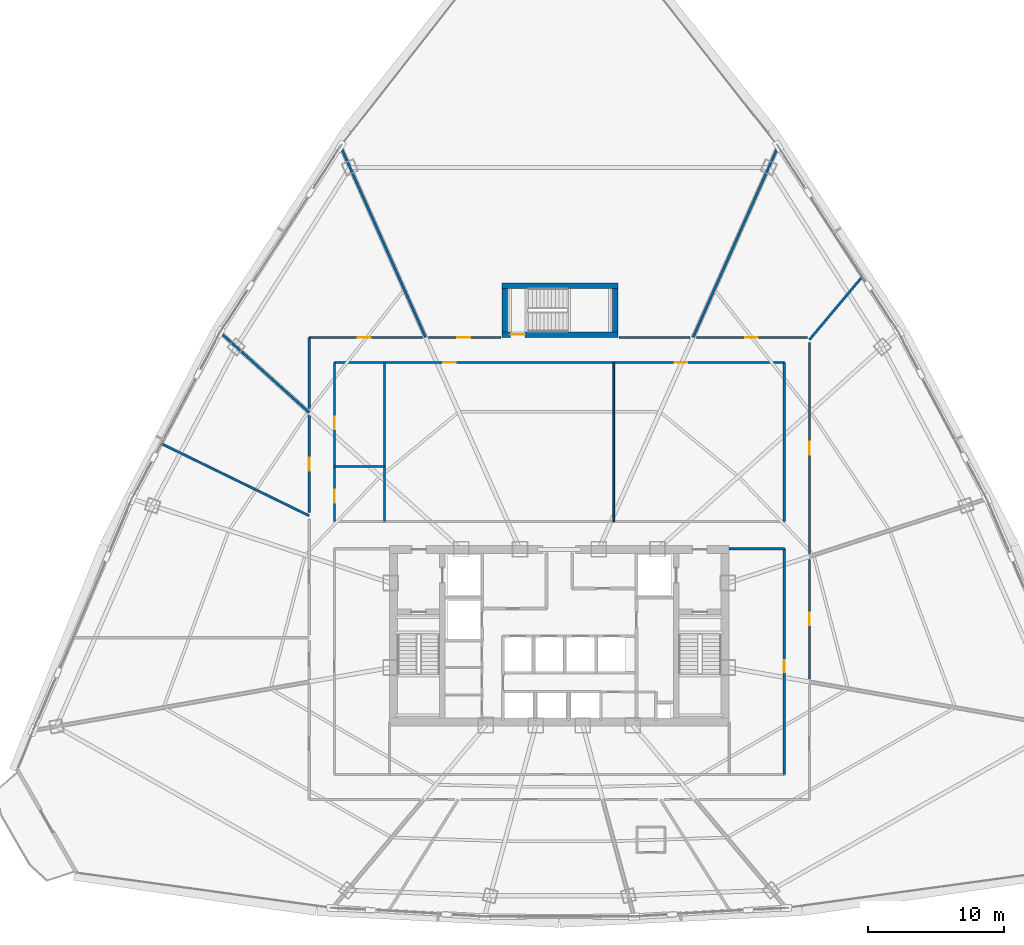
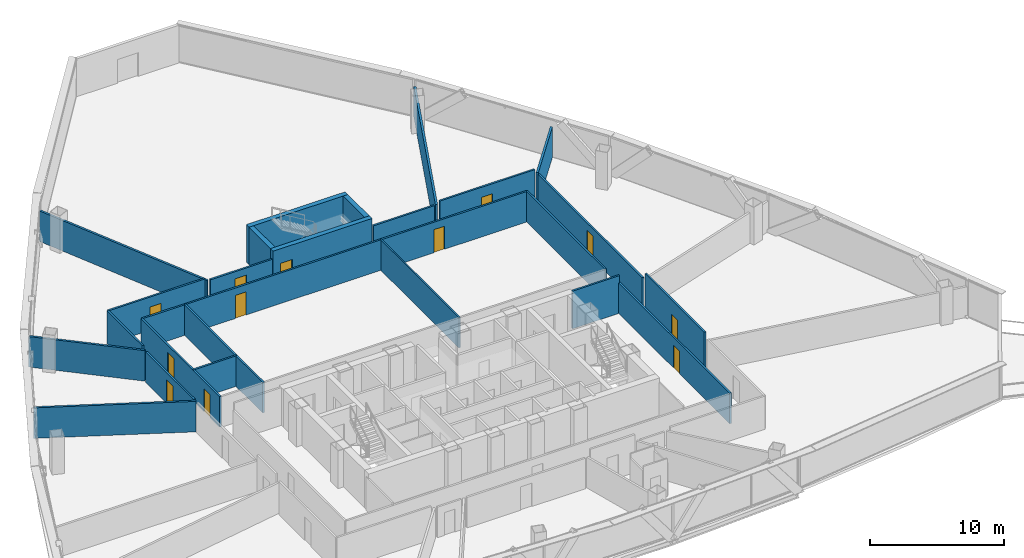
# One storey, part 34 of 39: 25 walls, 12 doors, 12 openings.
"""IFC4 building model written with IfcOpenShell, lengths in metres."""

import ifcopenshell
import ifcopenshell.guid

model = None  # the IFC model being written
_history = None  # IfcOwnerHistory: only IFC2X3 demands one
_inside = {}  # id of a spatial element -> (the spatial element, [elements in it])
_under = {}  # id of a project, library or spatial element -> (it, [spatial elements below it])
_declared = {}  # id of a project -> (the project, [libraries it declares])
_typed = {}  # id of a type object -> (the type object, [elements of that type])
_made_of = {}  # id of a material, layer set ... -> (it, [elements and type objects made of it])


def new_model(schema):
    """Start an empty IFC model of exactly this schema.

    Asked for "IFC4X3", IfcOpenShell would pick the latest addendum, in which some entities
    have other attributes; the version numbers below select the first issue.
    IFC2X3 requires an IfcOwnerHistory on every rooted entity: one is made here for all.
    """
    global model, _history
    if schema == "IFC4X3":
        model = ifcopenshell.file(schema_version=(4, 3, 0, 0))
    else:
        model = ifcopenshell.file(schema=schema)
    _inside.clear()
    _under.clear()
    _declared.clear()
    _typed.clear()
    _made_of.clear()
    _history = None
    if model.schema == "IFC2X3":
        org = make("IfcOrganization", Name="unknown")
        user = make(
            "IfcPersonAndOrganization",
            ThePerson=make("IfcPerson", FamilyName="unknown"),
            TheOrganization=org,
        )
        app = make(
            "IfcApplication",
            ApplicationDeveloper=org,
            Version="unknown",
            ApplicationFullName="unknown",
            ApplicationIdentifier="unknown",
        )
        _history = make(
            "IfcOwnerHistory",
            OwningUser=user,
            OwningApplication=app,
            ChangeAction="ADDED",
            CreationDate=0,
        )
    return model


def make(cls, **values):
    """One entity of the class cls with the attributes given. An attribute that is None is left unset."""
    return model.create_entity(
        cls, **{name: value for name, value in values.items() if value is not None}
    )


def rooted(cls, **values):
    """An entity with a GlobalId (a new one), such as an element, a storey or a relation."""
    return make(cls, GlobalId=ifcopenshell.guid.new(), OwnerHistory=_history, **values)


def si_unit(unit_type, name, prefix=None):
    """IfcSIUnit, for example si_unit("LENGTHUNIT", "METRE", prefix="MILLI")."""
    return make("IfcSIUnit", UnitType=unit_type, Prefix=prefix, Name=name)


def assignment(units):
    """IfcUnitAssignment: the units of a project."""
    return None if units is None else make("IfcUnitAssignment", Units=units)


def point(xyz):
    """IfcCartesianPoint."""
    return None if xyz is None else make("IfcCartesianPoint", Coordinates=xyz)


def direction(xyz):
    """IfcDirection."""
    return None if xyz is None else make("IfcDirection", DirectionRatios=xyz)


def frame(location, z_axis=None, x_axis=None):
    """IfcAxis2Placement3D, a coordinate frame: its origin and axes. An axis left out is left unset."""
    return make(
        "IfcAxis2Placement3D",
        Location=point(location),
        Axis=direction(z_axis),
        RefDirection=direction(x_axis),
    )


def frame_2d(location, x_axis=None):
    """IfcAxis2Placement2D, a coordinate frame in the plane: its origin and x axis."""
    return make(
        "IfcAxis2Placement2D", Location=point(location), RefDirection=direction(x_axis)
    )


def origin():
    """The frame at (0, 0, 0) with its axes left unset."""
    return frame((0.0, 0.0, 0.0))


def origin_with_axes():
    """The frame at (0, 0, 0) with the z axis (0, 0, 1) and the x axis (1, 0, 0) written out."""
    return frame((0.0, 0.0, 0.0), z_axis=(0.0, 0.0, 1.0), x_axis=(1.0, 0.0, 0.0))


def place(relative_to, where):
    """IfcLocalPlacement: puts the frame where relative to a parent placement (None: the world)."""
    return make(
        "IfcLocalPlacement", PlacementRelTo=relative_to, RelativePlacement=where
    )


def context(
    kind, dimensions, precision=None, world=None, true_north=None, identifier=None
):
    """IfcGeometricRepresentationContext, for example the 3D "Model" context."""
    return make(
        "IfcGeometricRepresentationContext",
        ContextIdentifier=identifier,
        ContextType=kind,
        CoordinateSpaceDimension=dimensions,
        Precision=precision,
        WorldCoordinateSystem=world,
        TrueNorth=true_north,
    )


def subcontext(parent, identifier, kind, view, scale=None):
    """IfcGeometricRepresentationSubContext, for example "Body" below "Model"."""
    return make(
        "IfcGeometricRepresentationSubContext",
        ContextIdentifier=identifier,
        ContextType=kind,
        ParentContext=parent,
        TargetScale=scale,
        TargetView=view,
    )


def project(units=None, contexts=None):
    """IfcProject with its units and contexts."""
    return rooted(
        "IfcProject",
        Name="project",
        RepresentationContexts=contexts,
        UnitsInContext=assignment(units),
    )


def spatial(cls, under=None, at=None, **own):
    """A site, building, storey or space (cls), placed at a placement, below another one or the project."""
    s = rooted(cls, ObjectPlacement=at, **own)
    if under is not None:
        _under.setdefault(under.id(), (under, []))[1].append(s)
    return s


def profile(cls, at=None, kind="AREA", **sizes):
    """A parametric profile (cls). Its sizes go by their IFC names, for example OverallWidth=200.0."""
    return make(cls, ProfileType=kind, Position=at, **sizes)


def rectangle(**sizes):
    """IfcRectangleProfileDef."""
    return profile("IfcRectangleProfileDef", **sizes)


def extrude(swept, where, along, depth):
    """IfcExtrudedAreaSolid: the profile swept, set in the frame where, extruded along a direction by depth."""
    return make(
        "IfcExtrudedAreaSolid",
        SweptArea=swept,
        Position=where,
        ExtrudedDirection=direction(along),
        Depth=depth,
    )


def shape(context_of_items, identifier, shape_type, items):
    """IfcShapeRepresentation: the items that make up one representation, for example the "Body"."""
    return make(
        "IfcShapeRepresentation",
        ContextOfItems=context_of_items,
        RepresentationIdentifier=identifier,
        RepresentationType=shape_type,
        Items=items,
    )


def source(mapping_origin, context_of_items, identifier, shape_type, items):
    """IfcRepresentationMap: a shape defined once, which mapped items show again and again."""
    return make(
        "IfcRepresentationMap",
        MappingOrigin=mapping_origin,
        MappedRepresentation=shape(context_of_items, identifier, shape_type, items),
    )


def transform(
    local_origin,
    x_axis=None,
    y_axis=None,
    z_axis=None,
    scale=None,
    scale2=None,
    scale3=None,
    uniform=True,
):
    """IfcCartesianTransformationOperator3D, or its non-uniform kind. x_axis, y_axis, z_axis: its Axis1, 2, 3."""
    if uniform:
        return make(
            "IfcCartesianTransformationOperator3D",
            Axis1=direction(x_axis),
            Axis2=direction(y_axis),
            LocalOrigin=point(local_origin),
            Scale=scale,
            Axis3=direction(z_axis),
        )
    return make(
        "IfcCartesianTransformationOperator3DnonUniform",
        Axis1=direction(x_axis),
        Axis2=direction(y_axis),
        LocalOrigin=point(local_origin),
        Scale=scale,
        Axis3=direction(z_axis),
        Scale2=scale2,
        Scale3=scale3,
    )


def mapped(mapping_source, mapping_target):
    """IfcMappedItem: shows the shape of a source again, moved by a transform."""
    return make(
        "IfcMappedItem", MappingSource=mapping_source, MappingTarget=mapping_target
    )


def material(Name=None, Category=None):
    """IfcMaterial."""
    return make("IfcMaterial", Name=Name, Category=Category)


def layer(
    of_material, thickness, ventilated=None, Name=None, Category=None, Priority=None
):
    """IfcMaterialLayer: one layer of a wall or slab, of a material (None: an air gap)."""
    return make(
        "IfcMaterialLayer",
        Material=of_material,
        LayerThickness=thickness,
        IsVentilated=ventilated,
        Name=Name,
        Category=Category,
        Priority=Priority,
    )


def layer_set(layers, Name=None):
    """IfcMaterialLayerSet."""
    return make("IfcMaterialLayerSet", MaterialLayers=layers, LayerSetName=Name)


def made_of(thing, what):
    """Note that an element or type object is made of a material, layer set ...; save() writes the relation."""
    if what is not None:
        _made_of.setdefault(what.id(), (what, []))[1].append(thing)
    return thing


def type_object(cls, material=None, **own):
    """A type object (cls), such as IfcWallType, which elements share."""
    return made_of(rooted(cls, **own), material)


def element(
    cls,
    number,
    at=None,
    inside=None,
    cuts=None,
    type_object=None,
    material=None,
    context=None,
    identifier="Body",
    shape_type=None,
    held_by="IfcProductDefinitionShape",
    body=None,
    shapes=None,
    **own,
):
    """One element of the class cls, such as IfcWall. Its Tag is "e" and its number.

    at: its placement. inside: the storey or other place that contains it. cuts: it is an
    opening in that element (IfcRelVoidsElement). A single representation is given by context,
    identifier, shape_type and body (its items); several are given by shapes. held_by: the class
    of the entity that holds the representations. save() writes the other relations.
    """
    e = rooted(cls, Tag="e%d" % number, ObjectPlacement=at, **own)
    if body is not None:
        shapes = [shape(context, identifier, shape_type, body)]
    if shapes is not None:
        e.Representation = make(held_by, Representations=shapes)
    if inside is not None:
        _inside.setdefault(inside.id(), (inside, []))[1].append(e)
    if cuts is not None:
        rooted(
            "IfcRelVoidsElement", RelatingBuildingElement=cuts, RelatedOpeningElement=e
        )
    if type_object is not None:
        _typed.setdefault(type_object.id(), (type_object, []))[1].append(e)
    return made_of(e, material)


def fill(opening, filler):
    """IfcRelFillsElement: the door or window that sits in an opening."""
    return rooted(
        "IfcRelFillsElement",
        RelatingOpeningElement=opening,
        RelatedBuildingElement=filler,
    )


def aggregate(whole, parts):
    """IfcRelAggregates: a whole, such as a stair, and the parts it consists of."""
    return rooted("IfcRelAggregates", RelatingObject=whole, RelatedObjects=parts)


def save(model, path):
    """Write the relations noted so far, then the file.

    IfcRelAggregates (storeys below a building ...), IfcRelContainedInSpatialStructure (elements
    in a storey), IfcRelDefinesByType, IfcRelAssociatesMaterial and IfcRelDeclares: one each for
    every whole, place, type object, material and project.
    """
    for whole, parts in _under.values():
        aggregate(whole, parts)
    for where, things in _inside.values():
        rooted(
            "IfcRelContainedInSpatialStructure",
            RelatedElements=things,
            RelatingStructure=where,
        )
    for kind, things in _typed.values():
        rooted("IfcRelDefinesByType", RelatedObjects=things, RelatingType=kind)
    for what, things in _made_of.values():
        rooted("IfcRelAssociatesMaterial", RelatedObjects=things, RelatingMaterial=what)
    for by, libraries in _declared.values():
        rooted("IfcRelDeclares", RelatingContext=by, RelatedDefinitions=libraries)
    model.write(path)


model = new_model("IFC4")

# Units and contexts
model_context = context("Model", 3, precision=1e-05, world=origin(), true_north=direction((0.0, 1.0)))
body_context = subcontext(model_context, "Body", "Model", "MODEL_VIEW")
ifc_project = project(units=[si_unit("LENGTHUNIT", "METRE"), si_unit("AREAUNIT", "SQUARE_METRE"), si_unit("VOLUMEUNIT", "CUBIC_METRE"), si_unit("PLANEANGLEUNIT", "RADIAN"), si_unit("MASSUNIT", "GRAM", prefix="KILO"), si_unit("THERMODYNAMICTEMPERATUREUNIT", "KELVIN"), si_unit("POWERUNIT", "WATT")], contexts=[model_context])

# Site, building, storey
site_placement = place(None, origin())
site = spatial("IfcSite", under=ifc_project, at=site_placement, CompositionType="ELEMENT")
building_placement = place(site_placement, origin())
building = spatial("IfcBuilding", under=site, at=building_placement, Name="Yunzhuo Pagoda Commons", CompositionType="ELEMENT")
storey_placement = place(building_placement, frame((0.0, 0.0, 144.550048828125)))
storey = spatial("IfcBuildingStorey", under=building, at=storey_placement, Name="L36", CompositionType="ELEMENT", Elevation=144.550048828125)

# Wall, openings, doors
ifc_material_1 = material(Name="Gypsum plasterboard on acoustic stud")
ifc_layer_1 = layer(ifc_material_1, 0.155029296875)
ifc_layer_set_1 = layer_set([ifc_layer_1], Name="Gypsum plasterboard on acoustic stud")
wall_type_1 = type_object("IfcWallType", Name="W-COR2 Mid-Zone Rated Corridor Wall 155", PredefinedType="PARTITIONING", material=ifc_layer_set_1)
wall_1_placement = place(storey_placement, frame((31.449951171875, 53.949951171875, 0.0), z_axis=(0.0, 0.0, 1.0), x_axis=(1.0, 0.0, 0.0)))
wall_1 = element("IfcWall", 1, at=wall_1_placement, inside=storey, type_object=wall_type_1, Name="L36 interior wall IW-L36-MCNN", PredefinedType="PARTITIONING", context=body_context, shape_type="SweptSolid", body=[
    extrude(rectangle(XDim=33.10009765625, YDim=0.155029296875, at=frame_2d((16.550048828125, 0.0))), origin(), (0.0, 0.0, 1.0), 2.77001953125),
])
opening_1_placement = place(wall_1_placement, frame((8.0, 0.0, 0.0)))
opening_1 = element("IfcOpeningElement", 2, at=opening_1_placement, cuts=wall_1, Name="Opening D-04", PredefinedType="OPENING", context=body_context, shape_type="SweptSolid", body=[
    extrude(rectangle(XDim=0.919921875, YDim=2.10009765625, at=frame_2d((0.4599609375, 1.050048828125))), frame((0.0, 0.08740234375, 0.0), z_axis=(0.0, -1.0, 0.0), x_axis=(1.0, 0.0, 0.0)), (0.0, 0.0, 1.0), 0.175048828125),
])
opening_2_placement = place(wall_1_placement, frame((25.050048828125, 0.0, 0.0)))
opening_2 = element("IfcOpeningElement", 3, at=opening_2_placement, cuts=wall_1, Name="Opening D-04", PredefinedType="OPENING", context=body_context, shape_type="SweptSolid", body=[
    extrude(rectangle(XDim=0.919921875, YDim=2.10009765625, at=frame_2d((0.4599609375, 1.050048828125))), frame((0.0, 0.08740234375, 0.0), z_axis=(0.0, -1.0, 0.0), x_axis=(1.0, 0.0, 0.0)), (0.0, 0.0, 1.0), 0.175048828125),
])
ifc_material_2 = material(Name="Powder-coated aluminium and timber acoustic leaf", Category="wood")
door_type_1 = type_object("IfcDoorType", Name="D-04 Bedroom & Study Interior Door 920x2100", OperationType="NOTDEFINED", PredefinedType="DOOR", material=ifc_material_2)
shared_shape_1 = source(origin(), body_context, "Body", "SweptSolid", [
    extrude(rectangle(XDim=0.919921875, YDim=2.10009765625, at=frame_2d((0.4599609375, 1.050048828125))), frame((0.0, 0.02490234375, 0.0), z_axis=(0.0, -1.0, 0.0), x_axis=(1.0, 0.0, 0.0)), (0.0, 0.0, 1.0), 0.050048828125),
])
door_1_placement = place(opening_1_placement, origin_with_axes())
door_1 = element("IfcDoor", 4, at=door_1_placement, inside=storey, type_object=door_type_1, Name="L36 reading commons door", OperationType="SINGLE_SWING_LEFT", OverallHeight=2.10009765625, OverallWidth=0.919921875, PredefinedType="DOOR", context=body_context, shape_type="MappedRepresentation", body=[
    mapped(shared_shape_1, transform((0.0, 0.0, 0.0), scale=1.0)),
])
fill(opening_1, door_1)
door_2_placement = place(opening_2_placement, origin_with_axes())
door_2 = element("IfcDoor", 5, at=door_2_placement, inside=storey, type_object=door_type_1, Name="L36 seminar commons door", OperationType="SINGLE_SWING_RIGHT", OverallHeight=2.10009765625, OverallWidth=0.919921875, PredefinedType="DOOR", context=body_context, shape_type="MappedRepresentation", body=[
    mapped(shared_shape_1, transform((0.0, 0.0, 0.0), scale=1.0)),
])
fill(opening_2, door_2)

wall_2_placement = place(storey_placement, frame((31.449951171875, 42.25, 0.0), z_axis=(0.0, 0.0, 1.0), x_axis=(0.0, 1.0, 0.0)))
wall_2 = element("IfcWall", 6, at=wall_2_placement, inside=storey, type_object=wall_type_1, Name="L36 interior wall IW-L36-MCNW", PredefinedType="PARTITIONING", context=body_context, shape_type="SweptSolid", body=[
    extrude(rectangle(XDim=11.699951171875, YDim=0.155029296875, at=frame_2d((5.85009765625, 0.0))), origin(), (0.0, 0.0, 1.0), 2.77001953125),
])
opening_3_placement = place(wall_2_placement, frame((1.39990234375, 0.0, 0.0)))
opening_3 = element("IfcOpeningElement", 7, at=opening_3_placement, cuts=wall_2, Name="Opening D-11", PredefinedType="OPENING", context=body_context, shape_type="SweptSolid", body=[
    extrude(rectangle(XDim=0.93994140625, YDim=2.10009765625, at=frame_2d((0.469970703125, 1.050048828125))), frame((0.0, 0.08740234375, 0.0), z_axis=(0.0, -1.0, 0.0), x_axis=(1.0, 0.0, 0.0)), (0.0, 0.0, 1.0), 0.175048828125),
])
opening_4_placement = place(wall_2_placement, frame((6.800048828125, 0.0, 0.0)))
opening_4 = element("IfcOpeningElement", 8, at=opening_4_placement, cuts=wall_2, Name="Opening D-04", PredefinedType="OPENING", context=body_context, shape_type="SweptSolid", body=[
    extrude(rectangle(XDim=0.919921875, YDim=2.10009765625, at=frame_2d((0.4599609375, 1.050048828125))), frame((0.0, 0.08740234375, 0.0), z_axis=(0.0, -1.0, 0.0), x_axis=(1.0, 0.0, 0.0)), (0.0, 0.0, 1.0), 0.175048828125),
])
ifc_material_3 = material(Name="Galvanized fire-resisting metal leaf")
door_type_2 = type_object("IfcDoorType", Name="D-11 Accessible Washroom Fire Door 940x2100", OperationType="NOTDEFINED", PredefinedType="DOOR", material=ifc_material_3)
shared_shape_2 = source(origin(), body_context, "Body", "SweptSolid", [
    extrude(rectangle(XDim=0.93994140625, YDim=2.10009765625, at=frame_2d((0.469970703125, 1.050048828125))), frame((0.0, 0.02490234375, 0.0), z_axis=(0.0, -1.0, 0.0), x_axis=(1.0, 0.0, 0.0)), (0.0, 0.0, 1.0), 0.050048828125),
])
door_3_placement = place(opening_3_placement, origin_with_axes())
door_3 = element("IfcDoor", 9, at=door_3_placement, inside=storey, type_object=door_type_2, Name="L36 accessible WC door", OperationType="SINGLE_SWING_LEFT", OverallHeight=2.10009765625, OverallWidth=0.93994140625, PredefinedType="DOOR", context=body_context, shape_type="MappedRepresentation", body=[
    mapped(shared_shape_2, transform((0.0, 0.0, 0.0), scale=1.0)),
])
fill(opening_3, door_3)
door_4_placement = place(opening_4_placement, origin_with_axes())
door_4 = element("IfcDoor", 10, at=door_4_placement, inside=storey, type_object=door_type_1, Name="L36 laundry door", OperationType="SINGLE_SWING_RIGHT", OverallHeight=2.10009765625, OverallWidth=0.919921875, PredefinedType="DOOR", context=body_context, shape_type="MappedRepresentation", body=[
    mapped(shared_shape_1, transform((0.0, 0.0, 0.0), scale=1.0)),
])
fill(opening_4, door_4)

# Walls
for number, where, z_axis, x_axis, name in (
    (11, (64.550048828125, 42.25, 0.0), (0.0, 0.0, 1.0), (0.0, 1.0, 0.0), "L36 interior wall IW-L36-MCNE"),
    (12, (35.14990234375, 42.25, 0.0), (0.0, 0.0, 1.0), (0.0, 1.0, 0.0), "L36 interior wall IW-L36-MCWCE"),
):
    element("IfcWall", number, at=place(storey_placement, frame(where, z_axis=z_axis, x_axis=x_axis)), inside=storey, type_object=wall_type_1, Name=name, PredefinedType="PARTITIONING", context=body_context, shape_type="SweptSolid", body=[
        extrude(rectangle(XDim=11.699951171875, YDim=0.155029296875, at=frame_2d((5.85009765625, 0.0))), origin(), (0.0, 0.0, 1.0), 2.77001953125),
    ])
wall_3_placement = place(storey_placement, frame((31.449951171875, 46.300048828125, 0.0), z_axis=(0.0, 0.0, 1.0), x_axis=(1.0, 0.0, 0.0)))
element("IfcWall", 13, at=wall_3_placement, inside=storey, type_object=wall_type_1, Name="L36 interior wall IW-L36-MCWCN", PredefinedType="PARTITIONING", context=body_context, shape_type="SweptSolid", body=[
    extrude(rectangle(XDim=3.699951171875, YDim=0.155029296875, at=frame_2d((1.85009765625, 0.0))), origin(), (0.0, 0.0, 1.0), 2.77001953125),
])

# Wall, opening, door
wall_4_placement = place(storey_placement, frame((64.550048828125, 23.64990234375, 0.0), z_axis=(0.0, 0.0, 1.0), x_axis=(0.0, 1.0, 0.0)))
wall_4 = element("IfcWall", 14, at=wall_4_placement, inside=storey, type_object=wall_type_1, Name="L36 interior wall IW-L36-SFLE", PredefinedType="PARTITIONING", context=body_context, shape_type="SweptSolid", body=[
    extrude(rectangle(XDim=16.60009765625, YDim=0.155029296875, at=frame_2d((8.300048828125, 0.0))), origin(), (0.0, 0.0, 1.0), 2.77001953125),
])
opening_5_placement = place(wall_4_placement, frame((7.5, 0.0, 0.0)))
opening_5 = element("IfcOpeningElement", 15, at=opening_5_placement, cuts=wall_4, Name="Opening D-12", PredefinedType="OPENING", context=body_context, shape_type="SweptSolid", body=[
    extrude(rectangle(XDim=0.89990234375, YDim=2.080078125, at=frame_2d((0.449951171875, 1.0400390625))), frame((0.0, 0.08740234375, 0.0), z_axis=(0.0, -1.0, 0.0), x_axis=(1.0, 0.0, 0.0)), (0.0, 0.0, 1.0), 0.175048828125),
])
door_type_3 = type_object("IfcDoorType", Name="D-12 Quiet Study Interior Door 900x2080", OperationType="NOTDEFINED", PredefinedType="DOOR", material=ifc_material_2)
shared_shape_3 = source(origin(), body_context, "Body", "SweptSolid", [
    extrude(rectangle(XDim=0.89990234375, YDim=2.080078125, at=frame_2d((0.449951171875, 1.0400390625))), frame((0.0, 0.02490234375, 0.0), z_axis=(0.0, -1.0, 0.0), x_axis=(1.0, 0.0, 0.0)), (0.0, 0.0, 1.0), 0.050048828125),
])
door_5_placement = place(opening_5_placement, frame((0.89990234375, 0.0, 0.0), z_axis=(0.0, 0.0, 1.0), x_axis=(-1.0, 0.0, 0.0)))
door_5 = element("IfcDoor", 16, at=door_5_placement, inside=storey, type_object=door_type_3, Name="L36 east study workroom door", OperationType="SINGLE_SWING_RIGHT", OverallHeight=2.080078125, OverallWidth=0.89990234375, PredefinedType="DOOR", context=body_context, shape_type="MappedRepresentation", body=[
    mapped(shared_shape_3, transform((0.0, 0.0, 0.0), scale=1.0)),
])
fill(opening_5, door_5)

# Wall
wall_5_placement = place(storey_placement, frame((60.5, 40.25, 0.0), z_axis=(0.0, 0.0, 1.0), x_axis=(1.0, 0.0, 0.0)))
element("IfcWall", 17, at=wall_5_placement, inside=storey, type_object=wall_type_1, Name="L36 interior wall IW-L36-SFLNE", PredefinedType="PARTITIONING", context=body_context, shape_type="SweptSolid", body=[
    extrude(rectangle(XDim=4.050048828125, YDim=0.155029296875, at=frame_2d((2.02490234375, 0.0))), origin(), (0.0, 0.0, 1.0), 3.419921875),
])

# Wall, opening, door
wall_6_placement = place(storey_placement, frame((29.60009765625, 42.919189453125, 0.0), z_axis=(0.0, 0.0, 1.0), x_axis=(0.0, 1.0, 0.0)))
wall_6 = element("IfcWall", 18, at=wall_6_placement, inside=storey, type_object=wall_type_1, Name="L36 interior wall IW-L36-CWL04", PredefinedType="PARTITIONING", context=body_context, shape_type="SweptSolid", body=[
    extrude(rectangle(XDim=7.12841796875, YDim=0.155029296875, at=frame_2d((3.564208984375, 0.0))), origin(), (0.0, 0.0, 1.0), 2.77001953125),
])
opening_6_placement = place(wall_6_placement, frame((3.07666015625, 0.0, 0.0)))
opening_6 = element("IfcOpeningElement", 19, at=opening_6_placement, cuts=wall_6, Name="Opening D-07", PredefinedType="OPENING", context=body_context, shape_type="SweptSolid", body=[
    extrude(rectangle(XDim=0.9599609375, YDim=2.1201171875, at=frame_2d((0.47998046875, 1.06005859375))), frame((0.0, 0.08740234375, 0.0), z_axis=(0.0, -1.0, 0.0), x_axis=(1.0, 0.0, 0.0)), (0.0, 0.0, 1.0), 0.175048828125),
])
door_type_4 = type_object("IfcDoorType", Name="D-07 Mid-Zone Suite Entrance Fire Door 960x2120", OperationType="NOTDEFINED", PredefinedType="DOOR", material=ifc_material_3)
shared_shape_4 = source(origin(), body_context, "Body", "SweptSolid", [
    extrude(rectangle(XDim=0.9599609375, YDim=2.1201171875, at=frame_2d((0.47998046875, 1.06005859375))), frame((0.0, 0.02490234375, 0.0), z_axis=(0.0, -1.0, 0.0), x_axis=(1.0, 0.0, 0.0)), (0.0, 0.0, 1.0), 0.050048828125),
])
door_6_placement = place(opening_6_placement, origin_with_axes())
door_6 = element("IfcDoor", 20, at=door_6_placement, inside=storey, type_object=door_type_4, Name="L36 unit 06 entrance door", OperationType="SINGLE_SWING_LEFT", OverallHeight=2.1201171875, OverallWidth=0.9599609375, PredefinedType="DOOR", context=body_context, shape_type="MappedRepresentation", body=[
    mapped(shared_shape_4, transform((0.0, 0.0, 0.0), scale=1.0)),
])
fill(opening_6, door_6)

# Wall
wall_7_placement = place(storey_placement, frame((29.60009765625, 50.5634765625, 0.0), z_axis=(0.0, 0.0, 1.0), x_axis=(0.0, 1.0, 0.0)))
element("IfcWall", 21, at=wall_7_placement, inside=storey, type_object=wall_type_1, Name="L36 interior wall IW-L36-CWL05", PredefinedType="PARTITIONING", context=body_context, shape_type="SweptSolid", body=[
    extrude(rectangle(XDim=5.236572265625, YDim=0.155029296875, at=frame_2d((2.6181640625, 0.0))), origin(), (0.0, 0.0, 1.0), 3.02001953125),
])

# Wall, opening, door
wall_8_placement = place(storey_placement, frame((29.60009765625, 55.800048828125, 0.0), z_axis=(0.0, 0.0, 1.0), x_axis=(1.0, 0.0, 0.0)))
wall_8 = element("IfcWall", 22, at=wall_8_placement, inside=storey, type_object=wall_type_1, Name="L36 interior wall IW-L36-CWL06", PredefinedType="PARTITIONING", context=body_context, shape_type="SweptSolid", body=[
    extrude(rectangle(XDim=8.319580078125, YDim=0.155029296875, at=frame_2d((4.15966796875, 0.0))), origin(), (0.0, 0.0, 1.0), 3.02001953125),
])
opening_7_placement = place(wall_8_placement, frame((3.5751953125, 0.0, 0.0)))
opening_7 = element("IfcOpeningElement", 23, at=opening_7_placement, cuts=wall_8, Name="Opening D-07", PredefinedType="OPENING", context=body_context, shape_type="SweptSolid", body=[
    extrude(rectangle(XDim=0.9599609375, YDim=2.1201171875, at=frame_2d((0.47998046875, 1.06005859375))), frame((0.0, 0.08740234375, 0.0), z_axis=(0.0, -1.0, 0.0), x_axis=(1.0, 0.0, 0.0)), (0.0, 0.0, 1.0), 0.175048828125),
])
door_7_placement = place(opening_7_placement, origin_with_axes())
door_7 = element("IfcDoor", 24, at=door_7_placement, inside=storey, type_object=door_type_4, Name="L36 unit 05 entrance door", OperationType="SINGLE_SWING_RIGHT", OverallHeight=2.1201171875, OverallWidth=0.9599609375, PredefinedType="DOOR", context=body_context, shape_type="MappedRepresentation", body=[
    mapped(shared_shape_4, transform((0.0, 0.0, 0.0), scale=1.0)),
])
fill(opening_7, door_7)

wall_9_placement = place(storey_placement, frame((38.380126953125, 55.800048828125, 0.0), z_axis=(0.0, 0.0, 1.0), x_axis=(1.0, 0.0, 0.0)))
wall_9 = element("IfcWall", 25, at=wall_9_placement, inside=storey, type_object=wall_type_1, Name="L36 interior wall IW-L36-CWL07", PredefinedType="PARTITIONING", context=body_context, shape_type="SweptSolid", body=[
    extrude(rectangle(XDim=5.328857421875, YDim=0.155029296875, at=frame_2d((2.66455078125, 0.0))), origin(), (0.0, 0.0, 1.0), 2.77001953125),
])
opening_8_placement = place(wall_9_placement, frame((2.114990234375, 0.0, 0.0)))
opening_8 = element("IfcOpeningElement", 26, at=opening_8_placement, cuts=wall_9, Name="Opening D-07", PredefinedType="OPENING", context=body_context, shape_type="SweptSolid", body=[
    extrude(rectangle(XDim=0.9599609375, YDim=2.1201171875, at=frame_2d((0.47998046875, 1.06005859375))), frame((0.0, 0.08740234375, 0.0), z_axis=(0.0, -1.0, 0.0), x_axis=(1.0, 0.0, 0.0)), (0.0, 0.0, 1.0), 0.175048828125),
])
door_8_placement = place(opening_8_placement, origin_with_axes())
door_8 = element("IfcDoor", 27, at=door_8_placement, inside=storey, type_object=door_type_4, Name="L36 unit 04 entrance door", OperationType="SINGLE_SWING_LEFT", OverallHeight=2.1201171875, OverallWidth=0.9599609375, PredefinedType="DOOR", context=body_context, shape_type="MappedRepresentation", body=[
    mapped(shared_shape_4, transform((0.0, 0.0, 0.0), scale=1.0)),
])
fill(opening_8, door_8)

# Wall
wall_10_placement = place(storey_placement, frame((52.39111328125, 55.800048828125, 0.0), z_axis=(0.0, 0.0, 1.0), x_axis=(1.0, 0.0, 0.0)))
element("IfcWall", 28, at=wall_10_placement, inside=storey, type_object=wall_type_1, Name="L36 interior wall IW-L36-CWL08", PredefinedType="PARTITIONING", context=body_context, shape_type="SweptSolid", body=[
    extrude(rectangle(XDim=5.228759765625, YDim=0.155029296875, at=frame_2d((2.6142578125, 0.0))), origin(), (0.0, 0.0, 1.0), 2.77001953125),
])

# Wall, opening, door
wall_11_placement = place(storey_placement, frame((58.080322265625, 55.800048828125, 0.0), z_axis=(0.0, 0.0, 1.0), x_axis=(1.0, 0.0, 0.0)))
wall_11 = element("IfcWall", 29, at=wall_11_placement, inside=storey, type_object=wall_type_1, Name="L36 interior wall IW-L36-CWL09", PredefinedType="PARTITIONING", context=body_context, shape_type="SweptSolid", body=[
    extrude(rectangle(XDim=8.176513671875, YDim=0.155029296875, at=frame_2d((4.08837890625, 0.0))), origin(), (0.0, 0.0, 1.0), 3.02001953125),
])
opening_9_placement = place(wall_11_placement, frame((3.59619140625, 0.0, 0.0)))
opening_9 = element("IfcOpeningElement", 30, at=opening_9_placement, cuts=wall_11, Name="Opening D-04", PredefinedType="OPENING", context=body_context, shape_type="SweptSolid", body=[
    extrude(rectangle(XDim=0.919921875, YDim=2.10009765625, at=frame_2d((0.4599609375, 1.050048828125))), frame((0.0, 0.08740234375, 0.0), z_axis=(0.0, -1.0, 0.0), x_axis=(1.0, 0.0, 0.0)), (0.0, 0.0, 1.0), 0.175048828125),
])
door_9_placement = place(opening_9_placement, origin_with_axes())
door_9 = element("IfcDoor", 31, at=door_9_placement, inside=storey, type_object=door_type_1, Name="L36 seminar room 03 door", OperationType="SINGLE_SWING_RIGHT", OverallHeight=2.10009765625, OverallWidth=0.919921875, PredefinedType="DOOR", context=body_context, shape_type="MappedRepresentation", body=[
    mapped(shared_shape_1, transform((0.0, 0.0, 0.0), scale=1.0)),
])
fill(opening_9, door_9)

wall_12_placement = place(storey_placement, frame((66.39990234375, 55.408447265625, 0.0), z_axis=(0.0, 0.0, 1.0), x_axis=(0.0, -1.0, 0.0)))
wall_12 = element("IfcWall", 32, at=wall_12_placement, inside=storey, type_object=wall_type_1, Name="L36 interior wall IW-L36-CWL10", PredefinedType="PARTITIONING", context=body_context, shape_type="SweptSolid", body=[
    extrude(rectangle(XDim=15.49853515625, YDim=0.155029296875, at=frame_2d((7.749267578125, 0.0))), origin(), (0.0, 0.0, 1.0), 2.77001953125),
])
opening_10_placement = place(wall_12_placement, frame((7.280029296875, 0.0, 0.0)))
opening_10 = element("IfcOpeningElement", 33, at=opening_10_placement, cuts=wall_12, Name="Opening D-07", PredefinedType="OPENING", context=body_context, shape_type="SweptSolid", body=[
    extrude(rectangle(XDim=0.9599609375, YDim=2.1201171875, at=frame_2d((0.47998046875, 1.06005859375))), frame((0.0, 0.08740234375, 0.0), z_axis=(0.0, -1.0, 0.0), x_axis=(1.0, 0.0, 0.0)), (0.0, 0.0, 1.0), 0.175048828125),
])
door_10_placement = place(opening_10_placement, origin_with_axes())
door_10 = element("IfcDoor", 34, at=door_10_placement, inside=storey, type_object=door_type_4, Name="L36 Shared Resident Kitchen and Pantry door", OperationType="SINGLE_SWING_LEFT", OverallHeight=2.1201171875, OverallWidth=0.9599609375, PredefinedType="DOOR", context=body_context, shape_type="MappedRepresentation", body=[
    mapped(shared_shape_4, transform((0.0, 0.0, 0.0), scale=1.0)),
])
fill(opening_10, door_10)

wall_13_placement = place(storey_placement, frame((66.39990234375, 39.458740234375, 0.0), z_axis=(0.0, 0.0, 1.0), x_axis=(0.0, -1.0, 0.0)))
wall_13 = element("IfcWall", 35, at=wall_13_placement, inside=storey, type_object=wall_type_1, Name="L36 interior wall IW-L36-CWL11", PredefinedType="PARTITIONING", context=body_context, shape_type="SweptSolid", body=[
    extrude(rectangle(XDim=8.783447265625, YDim=0.155029296875, at=frame_2d((4.3916015625, 0.0))), origin(), (0.0, 0.0, 1.0), 3.419921875),
])
opening_11_placement = place(wall_13_placement, frame((3.931640625, 0.0, 0.0)))
opening_11 = element("IfcOpeningElement", 36, at=opening_11_placement, cuts=wall_13, Name="Opening D-04", PredefinedType="OPENING", context=body_context, shape_type="SweptSolid", body=[
    extrude(rectangle(XDim=0.919921875, YDim=2.10009765625, at=frame_2d((0.4599609375, 1.050048828125))), frame((0.0, 0.08740234375, 0.0), z_axis=(0.0, -1.0, 0.0), x_axis=(1.0, 0.0, 0.0)), (0.0, 0.0, 1.0), 0.175048828125),
])
door_11_placement = place(opening_11_placement, origin_with_axes())
door_11 = element("IfcDoor", 37, at=door_11_placement, inside=storey, type_object=door_type_1, Name="L36 seminar room 01 door", OperationType="SINGLE_SWING_RIGHT", OverallHeight=2.10009765625, OverallWidth=0.919921875, PredefinedType="DOOR", context=body_context, shape_type="MappedRepresentation", body=[
    mapped(shared_shape_1, transform((0.0, 0.0, 0.0), scale=1.0)),
])
fill(opening_11, door_11)

# Walls
ifc_layer_2 = layer(ifc_material_1, 0.1201171875)
ifc_layer_set_2 = layer_set([ifc_layer_2], Name="Gypsum plasterboard on acoustic stud")
wall_type_2 = type_object("IfcWallType", Name="W-PRT1 Suite & Bathroom Partition 120", PredefinedType="PARTITIONING", material=ifc_layer_set_2)
wall_14_placement = place(storey_placement, frame((52.0, 42.25, 0.0), z_axis=(0.0, 0.0, 1.0), x_axis=(0.0, 1.0, 0.0)))
element("IfcWall", 38, at=wall_14_placement, inside=storey, type_object=wall_type_2, Name="L36 interior wall IW-L36-MCDIV", PredefinedType="PARTITIONING", context=body_context, shape_type="SweptSolid", body=[
    extrude(rectangle(XDim=11.699951171875, YDim=0.1201171875, at=frame_2d((5.85009765625, 0.0))), origin(), (0.0, 0.0, 1.0), 2.77001953125),
])
ifc_layer_3 = layer(ifc_material_1, 0.175048828125)
ifc_layer_set_3 = layer_set([ifc_layer_3], Name="Gypsum plasterboard on acoustic stud")
wall_type_3 = type_object("IfcWallType", Name="W-PRT3 Mid-Zone Demising Wall 175", PredefinedType="PARTITIONING", material=ifc_layer_set_3)
wall_15_placement = place(storey_placement, frame((66.39990234375, 55.62841796875, 0.0), z_axis=(0.0, 0.0, 1.0), x_axis=(0.642804736834, 0.766030071409, 0.0)))
element("IfcWall", 39, at=wall_15_placement, inside=storey, type_object=wall_type_3, Name="L36 interior wall IW-L36-RAD02", PredefinedType="PARTITIONING", context=body_context, shape_type="SweptSolid", body=[
    extrude(rectangle(XDim=6.076416015625, YDim=0.175048828125, at=frame_2d((3.0380859375, 0.0))), origin(), (0.0, 0.0, 1.0), 2.77001953125),
])
for number, where, z_axis, x_axis, name in (
    (40, (57.839599609375, 55.800048828125, 0.0), (0.0, 0.0, 1.0), (0.406735812773, 0.913545827317, 0.0), "L36 interior wall IW-L36-RAD03"),
    (41, (38.160400390625, 55.800048828125, 0.0), (0.0, 0.0, 1.0), (-0.406735812773, 0.913545827317, 0.0), "L36 interior wall IW-L36-RAD04"),
):
    element("IfcWall", number, at=place(storey_placement, frame(where, z_axis=z_axis, x_axis=x_axis)), inside=storey, type_object=wall_type_3, Name=name, PredefinedType="PARTITIONING", context=body_context, shape_type="SweptSolid", body=[
        extrude(rectangle(XDim=15.393798828125, YDim=0.175048828125, at=frame_2d((7.69677734375, 0.0))), origin(), (0.0, 0.0, 1.0), 2.77001953125),
    ])
wall_16_placement = place(storey_placement, frame((29.60009765625, 50.267333984375, 0.0), z_axis=(0.0, 0.0, 1.0), x_axis=(-0.743144335498, 0.669131150535, 0.0)))
element("IfcWall", 42, at=wall_16_placement, inside=storey, type_object=wall_type_3, Name="L36 interior wall IW-L36-RAD05", PredefinedType="PARTITIONING", context=body_context, shape_type="SweptSolid", body=[
    extrude(rectangle(XDim=8.833740234375, YDim=0.175048828125, at=frame_2d((4.4169921875, 0.0))), origin(), (0.0, 0.0, 1.0), 2.77001953125),
])
wall_17_placement = place(storey_placement, frame((29.60009765625, 42.67431640625, 0.0), z_axis=(0.0, 0.0, 1.0), x_axis=(-0.898797277455, 0.438364521875, 0.0)))
element("IfcWall", 43, at=wall_17_placement, inside=storey, type_object=wall_type_3, Name="L36 interior wall IW-L36-RAD06", PredefinedType="PARTITIONING", context=body_context, shape_type="SweptSolid", body=[
    extrude(rectangle(XDim=12.125, YDim=0.175048828125, at=frame_2d((6.0625, 0.0))), origin(), (0.0, 0.0, 1.0), 2.77001953125),
])
ifc_material_4 = material(Name="Concrete C60", Category="concrete")
ifc_layer_4 = layer(ifc_material_4, 0.39990234375)
ifc_layer_set_4 = layer_set([ifc_layer_4], Name="Concrete C60")
wall_type_4 = type_object("IfcWallType", Name="W-S01 Internal Core Shear Web 400", PredefinedType="SHEAR", material=ifc_layer_set_4)
wall_18_placement = place(storey_placement, frame((43.800048828125, 59.60009765625, 0.0), z_axis=(0.0, 0.0, 1.0), x_axis=(1.0, 0.0, 0.0)))
element("IfcWall", 44, at=wall_18_placement, inside=storey, type_object=wall_type_4, Name="L36 ST3 structural stair wall N", PredefinedType="SHEAR", context=body_context, shape_type="SweptSolid", body=[
    extrude(rectangle(XDim=8.5, YDim=0.39990234375, at=frame_2d((4.25, 0.0))), origin(), (0.0, 0.0, 1.0), 3.419921875),
])

# Wall, opening, door
wall_19_placement = place(storey_placement, frame((43.800048828125, 56.0, 0.0), z_axis=(0.0, 0.0, 1.0), x_axis=(1.0, 0.0, 0.0)))
wall_19 = element("IfcWall", 45, at=wall_19_placement, inside=storey, type_object=wall_type_4, Name="L36 ST3 structural stair wall S", PredefinedType="SHEAR", context=body_context, shape_type="SweptSolid", body=[
    extrude(rectangle(XDim=8.5, YDim=0.39990234375, at=frame_2d((4.25, 0.0))), origin(), (0.0, 0.0, 1.0), 3.419921875),
])
opening_12_placement = place(wall_19_placement, frame((0.6201171875, 0.0, 0.0)))
opening_12 = element("IfcOpeningElement", 46, at=opening_12_placement, cuts=wall_19, Name="Opening D-01", PredefinedType="OPENING", context=body_context, shape_type="SweptSolid", body=[
    extrude(rectangle(XDim=1.050048828125, YDim=2.10009765625, at=frame_2d((0.52490234375, 1.050048828125))), frame((0.0, 0.2099609375, 0.0), z_axis=(0.0, -1.0, 0.0), x_axis=(1.0, 0.0, 0.0)), (0.0, 0.0, 1.0), 0.419921875),
])
door_type_5 = type_object("IfcDoorType", Name="D-01 Smokeproof Stair Fire Door 1050x2100", OperationType="NOTDEFINED", PredefinedType="DOOR", material=ifc_material_3)
shared_shape_5 = source(origin(), body_context, "Body", "SweptSolid", [
    extrude(rectangle(XDim=1.050048828125, YDim=2.10009765625, at=frame_2d((0.52490234375, 1.050048828125))), frame((0.0, 0.02490234375, 0.0), z_axis=(0.0, -1.0, 0.0), x_axis=(1.0, 0.0, 0.0)), (0.0, 0.0, 1.0), 0.050048828125),
])
door_12_placement = place(opening_12_placement, frame((1.050048828125, 0.0, 0.0), z_axis=(0.0, 0.0, 1.0), x_axis=(-1.0, 0.0, 0.0)))
door_12 = element("IfcDoor", 47, at=door_12_placement, inside=storey, type_object=door_type_5, Name="L36 Stair ST3 fire door", OperationType="SINGLE_SWING_LEFT", OverallHeight=2.10009765625, OverallWidth=1.050048828125, PredefinedType="DOOR", context=body_context, shape_type="MappedRepresentation", body=[
    mapped(shared_shape_5, transform((0.0, 0.0, 0.0), scale=1.0)),
])
fill(opening_12, door_12)

# Walls
for number, where, z_axis, x_axis, name in (
    (48, (44.0, 56.199951171875, 0.0), (0.0, 0.0, 1.0), (0.0, 1.0, 0.0), "L36 ST3 structural stair wall W"),
    (49, (52.10009765625, 56.199951171875, 0.0), (0.0, 0.0, 1.0), (0.0, 1.0, 0.0), "L36 ST3 structural stair wall E"),
):
    element("IfcWall", number, at=place(storey_placement, frame(where, z_axis=z_axis, x_axis=x_axis)), inside=storey, type_object=wall_type_4, Name=name, PredefinedType="SHEAR", context=body_context, shape_type="SweptSolid", body=[
        extrude(rectangle(XDim=3.199951171875, YDim=0.39990234375, at=frame_2d((1.60009765625, 0.0))), origin(), (0.0, 0.0, 1.0), 3.419921875),
    ])

save(model, "model.ifc")
